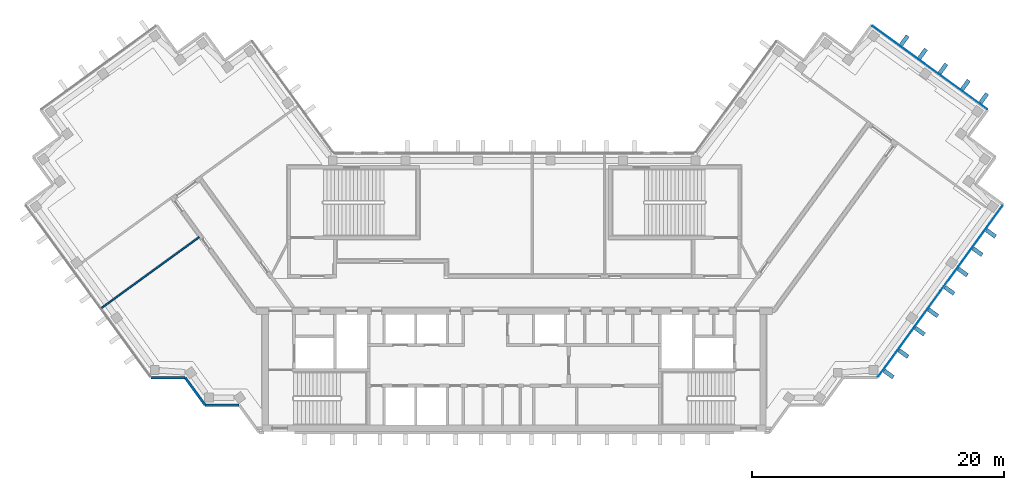
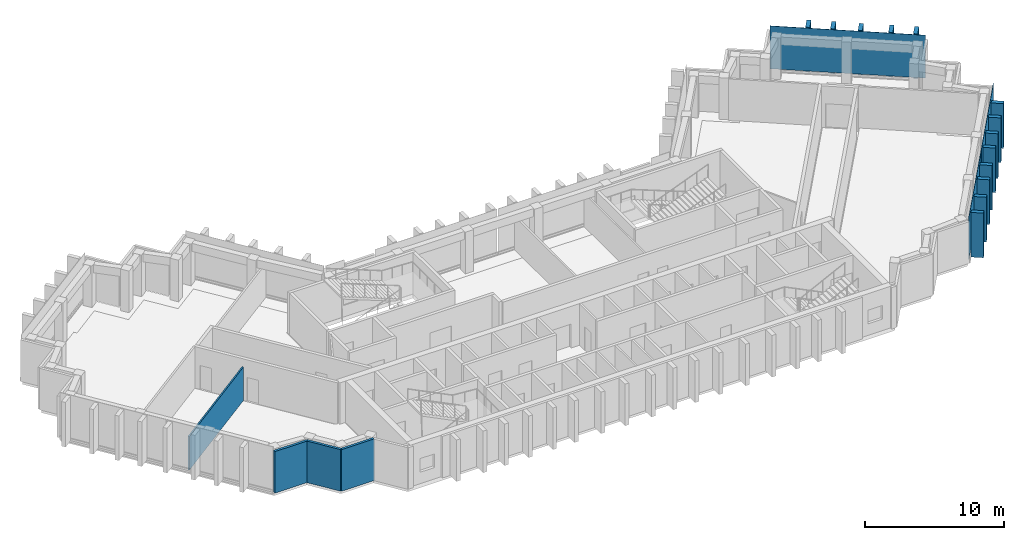
"""IFC4 building model written with IfcOpenShell, lengths in metres."""

from ifc_helpers import new_model, si_unit, direction, frame, frame_2d, origin, origin_2d, place, context, subcontext, project, spatial, rectangle, extrude, material, layer, layer_set, type_object, element, aggregate, save


model = new_model("IFC4")

# Units and contexts
model_context = context("Model", 3, precision=1e-05, world=origin(), true_north=direction((0.0, 1.0)))
body_context = subcontext(model_context, "Body", "Model", "MODEL_VIEW")
ifc_project = project(units=[si_unit("LENGTHUNIT", "METRE"), si_unit("AREAUNIT", "SQUARE_METRE"), si_unit("VOLUMEUNIT", "CUBIC_METRE"), si_unit("PLANEANGLEUNIT", "RADIAN"), si_unit("MASSUNIT", "GRAM", prefix="KILO")], contexts=[model_context])

# Site, building, storey
site_placement = place(None, origin())
site = spatial("IfcSite", under=ifc_project, at=site_placement, CompositionType="ELEMENT")
building_placement = place(site_placement, origin())
building = spatial("IfcBuilding", under=site, at=building_placement, Name="Quipu Civic Tower", CompositionType="ELEMENT")
storey_1_placement = place(building_placement, frame((0.0, 0.0, 297.0)))
storey_1 = spatial("IfcBuildingStorey", under=building, at=storey_1_placement, Name="L69", CompositionType="ELEMENT", Elevation=297.0)

# Curtain wall
ifc_material_1 = material(Name="Insulated glass unit", Category="glass")
curtain_wall_type = type_object("IfcCurtainWallType", Name="Office curtain wall CW1", PredefinedType="NOTDEFINED", material=ifc_material_1)
curtain_wall_1_placement = place(storey_1_placement, origin())
curtain_wall_1 = element("IfcCurtainWall", 1, at=curtain_wall_1_placement, inside=storey_1, type_object=curtain_wall_type, Name="Office curtain wall CW1 L68 run 23", PredefinedType="NOTDEFINED")

# Storey
storey_2_placement = place(building_placement, frame((0.0, 0.0, 293.0)))
storey_2 = spatial("IfcBuildingStorey", under=building, at=storey_2_placement, Name="L68", CompositionType="ELEMENT", Elevation=293.0)

# Plate
ifc_material_2 = material(Name="Insulated glass unit", Category="glass")
ifc_layer_1 = layer(ifc_material_2, 0.028076171875)
ifc_layer_set_1 = layer_set([ifc_layer_1], Name="Insulated glass unit")
plate_type_1 = type_object("IfcPlateType", Name="Glass panel CW1", PredefinedType="CURTAIN_PANEL", material=ifc_layer_set_1)
plate_1_placement = place(storey_2_placement, frame((31.333251953125, -3.285888671875, 0.240234375), z_axis=(0.0, 0.0, 1.0), x_axis=(0.587786237643, 0.809016278475, 0.0)))
plate_1 = element("IfcPlate", 2, at=plate_1_placement, inside=storey_2, type_object=plate_type_1, Name="CW1 panel 1.1", PredefinedType="CURTAIN_PANEL", context=body_context, shape_type="SweptSolid", body=[
    extrude(rectangle(XDim=8.35791015625, YDim=0.028076171875, at=origin_2d()), origin(), (0.0, 0.0, 1.0), 3.760009765625),
])

plate_2_placement = place(storey_2_placement, frame((36.292724609375, 3.54052734375, 0.240234375), z_axis=(0.0, 0.0, 1.0), x_axis=(0.587786237643, 0.809016278475, 0.0)))
plate_2 = element("IfcPlate", 3, at=plate_2_placement, inside=storey_2, type_object=plate_type_1, Name="CW1 panel 2.1", PredefinedType="CURTAIN_PANEL", context=body_context, shape_type="SweptSolid", body=[
    extrude(rectangle(XDim=8.35791015625, YDim=0.028076171875, at=origin_2d()), origin(), (0.0, 0.0, 1.0), 3.760009765625),
])

aggregate(curtain_wall_1, [plate_1, plate_2])

# Curtain wall, plate
curtain_wall_2_placement = place(storey_1_placement, origin())
curtain_wall_2 = element("IfcCurtainWall", 4, at=curtain_wall_2_placement, inside=storey_1, type_object=curtain_wall_type, Name="Office curtain wall CW1 L68 run 28", PredefinedType="NOTDEFINED")
plate_3_placement = place(storey_2_placement, frame((32.989990234375, 17.87939453125, 0.240234375), z_axis=(0.0, 0.0, 1.0), x_axis=(-0.809015176832, 0.587787753918, 0.0)))
plate_3 = element("IfcPlate", 5, at=plate_3_placement, inside=storey_2, type_object=plate_type_1, Name="CW1 panel 1.1", PredefinedType="CURTAIN_PANEL", context=body_context, shape_type="SweptSolid", body=[
    extrude(rectangle(XDim=11.239990234375, YDim=0.028076171875, at=origin_2d()), origin(), (0.0, 0.0, 1.0), 3.760009765625),
])
aggregate(curtain_wall_2, [plate_3])

# Plates
ifc_material_3 = material(Name="Precast concrete C40/50", Category="concrete")
plate_type_2 = type_object("IfcPlateType", Name="Precast fin F3", PredefinedType="SHEET", material=ifc_material_3)
for number, where, z_axis, x_axis, name in (
    (6, (29.721923828125, -6.43896484375, 0.080078125), (0.0, 0.0, 1.0), (0.587786668783, 0.809015965233, 0.0), "Precast fin F3 L68.23.1"),
    (7, (30.8974609375, -4.821044921875, 0.080078125), (0.0, 0.0, 1.0), (0.587786668783, 0.809015965233, 0.0), "Precast fin F3 L68.23.2"),
    (8, (32.190673828125, -3.041015625, 0.080078125), (0.0, 0.0, 1.0), (0.587786668783, 0.809015965233, 0.0), "Precast fin F3 L68.23.3"),
    (9, (33.248779296875, -1.5849609375, 0.080078125), (0.0, 0.0, 1.0), (0.587786668783, 0.809015965233, 0.0), "Precast fin F3 L68.23.4"),
    (10, (34.541748046875, 0.195068359375, 0.080078125), (0.0, 0.0, 1.0), (0.587786668783, 0.809015965233, 0.0), "Precast fin F3 L68.23.5"),
    (11, (35.599853515625, 1.651123046875, 0.080078125), (0.0, 0.0, 1.0), (0.587786668783, 0.809015965233, 0.0), "Precast fin F3 L68.23.6"),
    (12, (36.775390625, 3.269287109375, 0.080078125), (0.0, 0.0, 1.0), (0.587786668783, 0.809015965233, 0.0), "Precast fin F3 L68.23.7"),
    (13, (37.83349609375, 4.725341796875, 0.080078125), (0.0, 0.0, 1.0), (0.587786668783, 0.809015965233, 0.0), "Precast fin F3 L68.23.8"),
    (14, (37.26953125, 15.449951171875, 0.080078125), (0.0, 0.0, 1.0), (-0.809017072762, 0.587785144401, 0.0), "Precast fin F3 L68.28.1"),
    (15, (35.813232421875, 16.508056640625, 0.080078125), (0.0, 0.0, 1.0), (-0.809017072762, 0.587785144401, 0.0), "Precast fin F3 L68.28.2"),
    (16, (34.033447265625, 17.801025390625, 0.080078125), (0.0, 0.0, 1.0), (-0.809017072762, 0.587785144401, 0.0), "Precast fin F3 L68.28.3"),
    (17, (32.415283203125, 18.976806640625, 0.080078125), (0.0, 0.0, 1.0), (-0.809017072762, 0.587785144401, 0.0), "Precast fin F3 L68.28.4"),
    (18, (30.959228515625, 20.03466796875, 0.080078125), (0.0, 0.0, 1.0), (-0.809017072762, 0.587785144401, 0.0), "Precast fin F3 L68.28.5"),
):
    element("IfcPlate", number, at=place(storey_2_placement, frame(where, z_axis=z_axis, x_axis=x_axis)), inside=storey_2, type_object=plate_type_2, Name=name, PredefinedType="SHEET", context=body_context, shape_type="SweptSolid", body=[
        extrude(rectangle(XDim=0.320068359375, YDim=0.89990234375, at=origin_2d()), origin(), (0.0, 0.0, 1.0), 3.919921875),
    ])

# Walls
ifc_material_4 = material(Name="Gypsum plasterboard on light gauge framing")
ifc_layer_2 = layer(ifc_material_4, 0.1201171875)
ifc_layer_set_2 = layer_set([ifc_layer_2], Name="Gypsum plasterboard on light gauge framing")
wall_type_1 = type_object("IfcWallType", Name="Partition 120 plasterboard", PredefinedType="PARTITIONING", material=ifc_layer_set_2)
wall_1_placement = place(storey_2_placement, frame((-25.00830078125, 4.4267578125, 0.0), z_axis=(0.0, 0.0, 1.0), x_axis=(-0.808994684961, -0.587815957341, 0.0)))
element("IfcWall", 19, at=wall_1_placement, inside=storey_2, type_object=wall_type_1, Name="Partition P03", PredefinedType="PARTITIONING", context=body_context, shape_type="SweptSolid", body=[
    extrude(rectangle(XDim=9.55029296875, YDim=0.1201171875, at=frame_2d((4.775146484375, 0.0))), origin(), (0.0, 0.0, 1.0), 2.949951171875),
])
ifc_material_5 = material(Name="Precast concrete C40/50", Category="concrete")
wall_type_2 = type_object("IfcWallType", Name="Precast cladding wall", PredefinedType="SOLIDWALL", material=ifc_material_5)
wall_2_placement = place(storey_2_placement, frame((-28.829833984375, -6.71923828125, 0.0), z_axis=(0.0, 0.0, 1.0), x_axis=(1.0, 0.0, 0.0)))
element("IfcWall", 20, at=wall_2_placement, inside=storey_2, type_object=wall_type_2, Name="Precast cladding wall L68 12", PredefinedType="SOLIDWALL", context=body_context, shape_type="SweptSolid", body=[
    extrude(rectangle(XDim=2.699951171875, YDim=0.199951171875, at=frame_2d((1.35009765625, 0.0))), origin(), (0.0, 0.0, 1.0), 3.64990234375),
])
wall_3_placement = place(storey_2_placement, frame((-26.1201171875, -6.72412109375, 0.0), z_axis=(0.0, 0.0, 1.0), x_axis=(0.587720002413, -0.809064397168, 0.0)))
element("IfcWall", 21, at=wall_3_placement, inside=storey_2, type_object=wall_type_2, Name="Precast cladding wall L68 13", PredefinedType="SOLIDWALL", context=body_context, shape_type="SweptSolid", body=[
    extrude(rectangle(XDim=2.7001953125, YDim=0.199951171875, at=frame_2d((1.35009765625, 0.0))), origin(), (0.0, 0.0, 1.0), 3.64990234375),
])
wall_4_placement = place(storey_2_placement, frame((-24.542724609375, -8.90380859375, 0.0), z_axis=(0.0, 0.0, 1.0), x_axis=(1.0, 0.0, 0.0)))
element("IfcWall", 22, at=wall_4_placement, inside=storey_2, type_object=wall_type_2, Name="Precast cladding wall L68 14", PredefinedType="SOLIDWALL", context=body_context, shape_type="SweptSolid", body=[
    extrude(rectangle(XDim=2.699951171875, YDim=0.199951171875, at=frame_2d((1.35009765625, 0.0))), origin(), (0.0, 0.0, 1.0), 3.64990234375),
])

save(model, "model.ifc")
